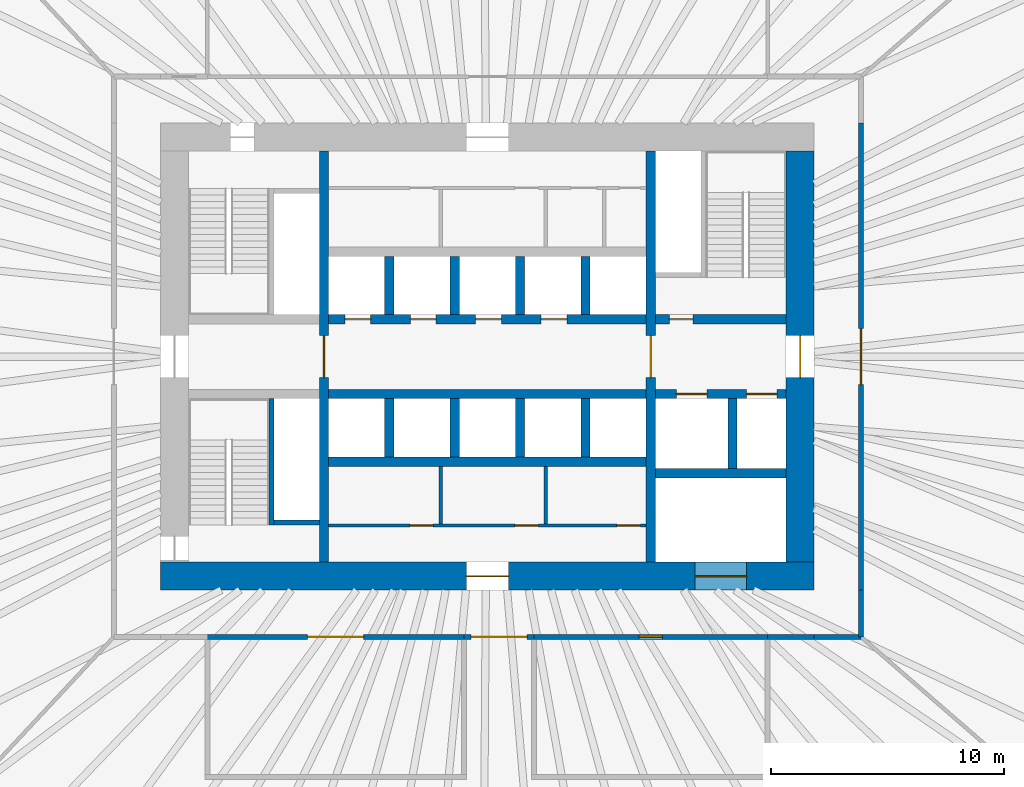
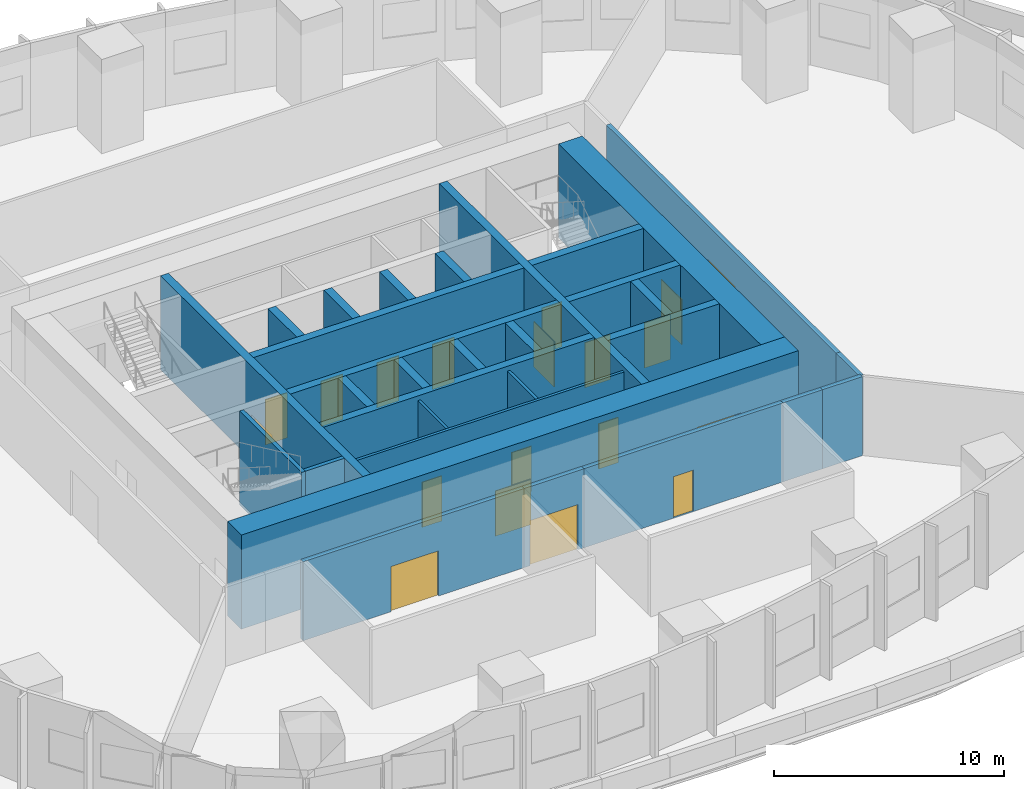
# One storey, part 7 of 11: 31 walls, 19 doors, 19 openings.
"""IFC4 building model written with IfcOpenShell, lengths in metres."""

import ifcopenshell
import ifcopenshell.guid

model = None  # the IFC model being written
_history = None  # IfcOwnerHistory: only IFC2X3 demands one
_inside = {}  # id of a spatial element -> (the spatial element, [elements in it])
_under = {}  # id of a project, library or spatial element -> (it, [spatial elements below it])
_declared = {}  # id of a project -> (the project, [libraries it declares])
_typed = {}  # id of a type object -> (the type object, [elements of that type])
_made_of = {}  # id of a material, layer set ... -> (it, [elements and type objects made of it])


def new_model(schema):
    """Start an empty IFC model of exactly this schema.

    Asked for "IFC4X3", IfcOpenShell would pick the latest addendum, in which some entities
    have other attributes; the version numbers below select the first issue.
    IFC2X3 requires an IfcOwnerHistory on every rooted entity: one is made here for all.
    """
    global model, _history
    if schema == "IFC4X3":
        model = ifcopenshell.file(schema_version=(4, 3, 0, 0))
    else:
        model = ifcopenshell.file(schema=schema)
    _inside.clear()
    _under.clear()
    _declared.clear()
    _typed.clear()
    _made_of.clear()
    _history = None
    if model.schema == "IFC2X3":
        org = make("IfcOrganization", Name="unknown")
        user = make(
            "IfcPersonAndOrganization",
            ThePerson=make("IfcPerson", FamilyName="unknown"),
            TheOrganization=org,
        )
        app = make(
            "IfcApplication",
            ApplicationDeveloper=org,
            Version="unknown",
            ApplicationFullName="unknown",
            ApplicationIdentifier="unknown",
        )
        _history = make(
            "IfcOwnerHistory",
            OwningUser=user,
            OwningApplication=app,
            ChangeAction="ADDED",
            CreationDate=0,
        )
    return model


def make(cls, **values):
    """One entity of the class cls with the attributes given. An attribute that is None is left unset."""
    return model.create_entity(
        cls, **{name: value for name, value in values.items() if value is not None}
    )


def rooted(cls, **values):
    """An entity with a GlobalId (a new one), such as an element, a storey or a relation."""
    return make(cls, GlobalId=ifcopenshell.guid.new(), OwnerHistory=_history, **values)


def si_unit(unit_type, name, prefix=None):
    """IfcSIUnit, for example si_unit("LENGTHUNIT", "METRE", prefix="MILLI")."""
    return make("IfcSIUnit", UnitType=unit_type, Prefix=prefix, Name=name)


def assignment(units):
    """IfcUnitAssignment: the units of a project."""
    return None if units is None else make("IfcUnitAssignment", Units=units)


def point(xyz):
    """IfcCartesianPoint."""
    return None if xyz is None else make("IfcCartesianPoint", Coordinates=xyz)


def direction(xyz):
    """IfcDirection."""
    return None if xyz is None else make("IfcDirection", DirectionRatios=xyz)


def frame(location, z_axis=None, x_axis=None):
    """IfcAxis2Placement3D, a coordinate frame: its origin and axes. An axis left out is left unset."""
    return make(
        "IfcAxis2Placement3D",
        Location=point(location),
        Axis=direction(z_axis),
        RefDirection=direction(x_axis),
    )


def frame_2d(location, x_axis=None):
    """IfcAxis2Placement2D, a coordinate frame in the plane: its origin and x axis."""
    return make(
        "IfcAxis2Placement2D", Location=point(location), RefDirection=direction(x_axis)
    )


def origin():
    """The frame at (0, 0, 0) with its axes left unset."""
    return frame((0.0, 0.0, 0.0))


def place(relative_to, where):
    """IfcLocalPlacement: puts the frame where relative to a parent placement (None: the world)."""
    return make(
        "IfcLocalPlacement", PlacementRelTo=relative_to, RelativePlacement=where
    )


def context(
    kind, dimensions, precision=None, world=None, true_north=None, identifier=None
):
    """IfcGeometricRepresentationContext, for example the 3D "Model" context."""
    return make(
        "IfcGeometricRepresentationContext",
        ContextIdentifier=identifier,
        ContextType=kind,
        CoordinateSpaceDimension=dimensions,
        Precision=precision,
        WorldCoordinateSystem=world,
        TrueNorth=true_north,
    )


def subcontext(parent, identifier, kind, view, scale=None):
    """IfcGeometricRepresentationSubContext, for example "Body" below "Model"."""
    return make(
        "IfcGeometricRepresentationSubContext",
        ContextIdentifier=identifier,
        ContextType=kind,
        ParentContext=parent,
        TargetScale=scale,
        TargetView=view,
    )


def project(units=None, contexts=None):
    """IfcProject with its units and contexts."""
    return rooted(
        "IfcProject",
        Name="project",
        RepresentationContexts=contexts,
        UnitsInContext=assignment(units),
    )


def spatial(cls, under=None, at=None, **own):
    """A site, building, storey or space (cls), placed at a placement, below another one or the project."""
    s = rooted(cls, ObjectPlacement=at, **own)
    if under is not None:
        _under.setdefault(under.id(), (under, []))[1].append(s)
    return s


def profile(cls, at=None, kind="AREA", **sizes):
    """A parametric profile (cls). Its sizes go by their IFC names, for example OverallWidth=200.0."""
    return make(cls, ProfileType=kind, Position=at, **sizes)


def rectangle(**sizes):
    """IfcRectangleProfileDef."""
    return profile("IfcRectangleProfileDef", **sizes)


def extrude(swept, where, along, depth):
    """IfcExtrudedAreaSolid: the profile swept, set in the frame where, extruded along a direction by depth."""
    return make(
        "IfcExtrudedAreaSolid",
        SweptArea=swept,
        Position=where,
        ExtrudedDirection=direction(along),
        Depth=depth,
    )


def shape(context_of_items, identifier, shape_type, items):
    """IfcShapeRepresentation: the items that make up one representation, for example the "Body"."""
    return make(
        "IfcShapeRepresentation",
        ContextOfItems=context_of_items,
        RepresentationIdentifier=identifier,
        RepresentationType=shape_type,
        Items=items,
    )


def material(Name=None, Category=None):
    """IfcMaterial."""
    return make("IfcMaterial", Name=Name, Category=Category)


def layer(
    of_material, thickness, ventilated=None, Name=None, Category=None, Priority=None
):
    """IfcMaterialLayer: one layer of a wall or slab, of a material (None: an air gap)."""
    return make(
        "IfcMaterialLayer",
        Material=of_material,
        LayerThickness=thickness,
        IsVentilated=ventilated,
        Name=Name,
        Category=Category,
        Priority=Priority,
    )


def layer_set(layers, Name=None):
    """IfcMaterialLayerSet."""
    return make("IfcMaterialLayerSet", MaterialLayers=layers, LayerSetName=Name)


def made_of(thing, what):
    """Note that an element or type object is made of a material, layer set ...; save() writes the relation."""
    if what is not None:
        _made_of.setdefault(what.id(), (what, []))[1].append(thing)
    return thing


def type_object(cls, material=None, **own):
    """A type object (cls), such as IfcWallType, which elements share."""
    return made_of(rooted(cls, **own), material)


def element(
    cls,
    number,
    at=None,
    inside=None,
    cuts=None,
    type_object=None,
    material=None,
    context=None,
    identifier="Body",
    shape_type=None,
    held_by="IfcProductDefinitionShape",
    body=None,
    shapes=None,
    **own,
):
    """One element of the class cls, such as IfcWall. Its Tag is "e" and its number.

    at: its placement. inside: the storey or other place that contains it. cuts: it is an
    opening in that element (IfcRelVoidsElement). A single representation is given by context,
    identifier, shape_type and body (its items); several are given by shapes. held_by: the class
    of the entity that holds the representations. save() writes the other relations.
    """
    e = rooted(cls, Tag="e%d" % number, ObjectPlacement=at, **own)
    if body is not None:
        shapes = [shape(context, identifier, shape_type, body)]
    if shapes is not None:
        e.Representation = make(held_by, Representations=shapes)
    if inside is not None:
        _inside.setdefault(inside.id(), (inside, []))[1].append(e)
    if cuts is not None:
        rooted(
            "IfcRelVoidsElement", RelatingBuildingElement=cuts, RelatedOpeningElement=e
        )
    if type_object is not None:
        _typed.setdefault(type_object.id(), (type_object, []))[1].append(e)
    return made_of(e, material)


def fill(opening, filler):
    """IfcRelFillsElement: the door or window that sits in an opening."""
    return rooted(
        "IfcRelFillsElement",
        RelatingOpeningElement=opening,
        RelatedBuildingElement=filler,
    )


def aggregate(whole, parts):
    """IfcRelAggregates: a whole, such as a stair, and the parts it consists of."""
    return rooted("IfcRelAggregates", RelatingObject=whole, RelatedObjects=parts)


def save(model, path):
    """Write the relations noted so far, then the file.

    IfcRelAggregates (storeys below a building ...), IfcRelContainedInSpatialStructure (elements
    in a storey), IfcRelDefinesByType, IfcRelAssociatesMaterial and IfcRelDeclares: one each for
    every whole, place, type object, material and project.
    """
    for whole, parts in _under.values():
        aggregate(whole, parts)
    for where, things in _inside.values():
        rooted(
            "IfcRelContainedInSpatialStructure",
            RelatedElements=things,
            RelatingStructure=where,
        )
    for kind, things in _typed.values():
        rooted("IfcRelDefinesByType", RelatedObjects=things, RelatingType=kind)
    for what, things in _made_of.values():
        rooted("IfcRelAssociatesMaterial", RelatedObjects=things, RelatingMaterial=what)
    for by, libraries in _declared.values():
        rooted("IfcRelDeclares", RelatingContext=by, RelatedDefinitions=libraries)
    model.write(path)


model = new_model("IFC4")

# Units and contexts
model_context = context("Model", 3, precision=1e-05, world=origin(), true_north=direction((0.0, 1.0)))
body_context = subcontext(model_context, "Body", "Model", "MODEL_VIEW")
ifc_project = project(units=[si_unit("LENGTHUNIT", "METRE"), si_unit("AREAUNIT", "SQUARE_METRE"), si_unit("VOLUMEUNIT", "CUBIC_METRE"), si_unit("PLANEANGLEUNIT", "RADIAN"), si_unit("MASSUNIT", "GRAM", prefix="KILO")], contexts=[model_context])

# Site, building, storey
site_placement = place(None, origin())
site = spatial("IfcSite", under=ifc_project, at=site_placement, CompositionType="ELEMENT")
building_placement = place(site_placement, origin())
building = spatial("IfcBuilding", under=site, at=building_placement, Name="Ghaith Harvest Tower", CompositionType="ELEMENT")
storey_placement = place(building_placement, frame((0.0, 0.0, 15.0)))
storey = spatial("IfcBuildingStorey", under=building, at=storey_placement, Name="L03", CompositionType="ELEMENT", Elevation=15.0)

# Wall
ifc_material_1 = material(Name="Concrete blockwork, 1-hour", Category="masonry")
ifc_layer_1 = layer(ifc_material_1, 0.215087890625)
ifc_layer_set_1 = layer_set([ifc_layer_1], Name="BLOCKWORK WALL 215")
wall_type_1 = type_object("IfcWallType", Name="BLOCKWORK WALL 215", PredefinedType="PARTITIONING", material=ifc_layer_set_1)
wall_1_placement = place(storey_placement, frame((16.0, -12.0, 0.0), z_axis=(0.0, 0.0, 1.0), x_axis=(0.0, 1.0, 0.0)))
element("IfcWall", 1, at=wall_1_placement, inside=storey, type_object=wall_type_1, Name="Plant room wall L03", PredefinedType="PARTITIONING", context=body_context, shape_type="SweptSolid", body=[
    extrude(rectangle(XDim=2.0, YDim=0.215087890625, at=frame_2d((1.0, 0.0))), origin(), (0.0, 0.0, 1.0), 4.199951171875),
])

# Wall, opening, door
wall_2_placement = place(storey_placement, frame((16.0, -10.0, 0.0), z_axis=(0.0, 0.0, 1.0), x_axis=(0.0, 1.0, 0.0)))
wall_2 = element("IfcWall", 2, at=wall_2_placement, inside=storey, type_object=wall_type_1, Name="Plant room wall L03", PredefinedType="PARTITIONING", context=body_context, shape_type="SweptSolid", body=[
    extrude(rectangle(XDim=20.0, YDim=0.215087890625, at=frame_2d((10.0, 0.0))), origin(), (0.0, 0.0, 1.0), 4.199951171875),
])
opening_1_placement = place(wall_2_placement, frame((8.800048828125, 0.0, 0.0)))
opening_1 = element("IfcOpeningElement", 3, at=opening_1_placement, cuts=wall_2, Name="Opening 03-028", PredefinedType="OPENING", context=body_context, shape_type="SweptSolid", body=[
    extrude(rectangle(XDim=2.39990234375, YDim=2.39990234375, at=frame_2d((1.199951171875, 1.199951171875))), frame((0.0, 0.11767578125, 0.0), z_axis=(0.0, -1.0, 0.0), x_axis=(1.0, 0.0, 0.0)), (0.0, 0.0, 1.0), 0.235107421875),
])
ifc_material_2 = material(Name="Timber door", Category="wood")
door_type_1 = type_object("IfcDoorType", Name="D10 PLANT PAIR 2400x2400", OperationType="DOUBLE_DOOR_SINGLE_SWING", PredefinedType="DOOR", material=ifc_material_2)
door_1_placement = place(opening_1_placement, origin())
door_1 = element("IfcDoor", 4, at=door_1_placement, inside=storey, type_object=door_type_1, Name="Chilled water plant room east door", OperationType="DOUBLE_DOOR_SINGLE_SWING", OverallHeight=2.39990234375, OverallWidth=2.39990234375, PredefinedType="DOOR", context=body_context, shape_type="SweptSolid", body=[
    extrude(rectangle(XDim=2.39990234375, YDim=2.39990234375, at=frame_2d((1.199951171875, 1.199951171875))), frame((0.0, 0.02490234375, 0.0), z_axis=(0.0, -1.0, 0.0), x_axis=(1.0, 0.0, 0.0)), (0.0, 0.0, 1.0), 0.050048828125),
])
fill(opening_1, door_1)

wall_3_placement = place(storey_placement, frame((-1.0, -12.0, 0.0), z_axis=(0.0, 0.0, 1.0), x_axis=(1.0, 0.0, 0.0)))
wall_3 = element("IfcWall", 5, at=wall_3_placement, inside=storey, type_object=wall_type_1, Name="Plant room wall L03", PredefinedType="PARTITIONING", context=body_context, shape_type="SweptSolid", body=[
    extrude(rectangle(XDim=3.0, YDim=0.215087890625, at=frame_2d((1.5, 0.0))), origin(), (0.0, 0.0, 1.0), 4.199951171875),
])
opening_2_placement = place(wall_3_placement, frame((0.300048828125, 0.0, 0.0)))
opening_2 = element("IfcOpeningElement", 6, at=opening_2_placement, cuts=wall_3, Name="Opening 03-029", PredefinedType="OPENING", context=body_context, shape_type="SweptSolid", body=[
    extrude(rectangle(XDim=2.39990234375, YDim=2.39990234375, at=frame_2d((1.199951171875, 1.199951171875))), frame((0.0, 0.11767578125, 0.0), z_axis=(0.0, -1.0, 0.0), x_axis=(1.0, 0.0, 0.0)), (0.0, 0.0, 1.0), 0.235107421875),
])
door_2_placement = place(opening_2_placement, origin())
door_2 = element("IfcDoor", 7, at=door_2_placement, inside=storey, type_object=door_type_1, Name="Pump room south door", OperationType="DOUBLE_DOOR_SINGLE_SWING", OverallHeight=2.39990234375, OverallWidth=2.39990234375, PredefinedType="DOOR", context=body_context, shape_type="SweptSolid", body=[
    extrude(rectangle(XDim=2.39990234375, YDim=2.39990234375, at=frame_2d((1.199951171875, 1.199951171875))), frame((0.0, 0.02490234375, 0.0), z_axis=(0.0, -1.0, 0.0), x_axis=(1.0, 0.0, 0.0)), (0.0, 0.0, 1.0), 0.050048828125),
])
fill(opening_2, door_2)

# Walls
for number, where, z_axis, x_axis, name in (
    (8, (12.0, -12.0, 0.0), (0.0, 0.0, 1.0), (1.0, 0.0, 0.0), "Plant room wall L03"),
    (9, (14.0, -12.0, 0.0), (0.0, 0.0, 1.0), (1.0, 0.0, 0.0), "Plant room wall L03"),
):
    element("IfcWall", number, at=place(storey_placement, frame(where, z_axis=z_axis, x_axis=x_axis)), inside=storey, type_object=wall_type_1, Name=name, PredefinedType="PARTITIONING", context=body_context, shape_type="SweptSolid", body=[
        extrude(rectangle(XDim=2.0, YDim=0.215087890625, at=frame_2d((1.0, 0.0))), origin(), (0.0, 0.0, 1.0), 4.199951171875),
    ])

# Wall, opening, door
wall_4_placement = place(storey_placement, frame((-12.107421875, -12.0, 0.0), z_axis=(0.0, 0.0, 1.0), x_axis=(1.0, 0.0, 0.0)))
wall_4 = element("IfcWall", 10, at=wall_4_placement, inside=storey, type_object=wall_type_1, Name="Partition L03-02", PredefinedType="PARTITIONING", context=body_context, shape_type="SweptSolid", body=[
    extrude(rectangle(XDim=11.21484375, YDim=0.215087890625, at=frame_2d((5.607421875, 0.0))), origin(), (0.0, 0.0, 1.0), 4.199951171875),
])
opening_3_placement = place(wall_4_placement, frame((4.407470703125, 0.0, 0.0)))
opening_3 = element("IfcOpeningElement", 11, at=opening_3_placement, cuts=wall_4, Name="Opening 03-025", PredefinedType="OPENING", context=body_context, shape_type="SweptSolid", body=[
    extrude(rectangle(XDim=2.39990234375, YDim=2.39990234375, at=frame_2d((1.199951171875, 1.199951171875))), frame((0.0, 0.11767578125, 0.0), z_axis=(0.0, -1.0, 0.0), x_axis=(1.0, 0.0, 0.0)), (0.0, 0.0, 1.0), 0.235107421875),
])
door_3_placement = place(opening_3_placement, origin())
door_3 = element("IfcDoor", 12, at=door_3_placement, inside=storey, type_object=door_type_1, Name="Water tank room door", OperationType="DOUBLE_DOOR_SINGLE_SWING", OverallHeight=2.39990234375, OverallWidth=2.39990234375, PredefinedType="DOOR", context=body_context, shape_type="SweptSolid", body=[
    extrude(rectangle(XDim=2.39990234375, YDim=2.39990234375, at=frame_2d((1.199951171875, 1.199951171875))), frame((0.0, 0.02490234375, 0.0), z_axis=(0.0, -1.0, 0.0), x_axis=(1.0, 0.0, 0.0)), (0.0, 0.0, 1.0), 0.050048828125),
])
fill(opening_3, door_3)

wall_5_placement = place(storey_placement, frame((1.892578125, -12.0, 0.0), z_axis=(0.0, 0.0, 1.0), x_axis=(1.0, 0.0, 0.0)))
wall_5 = element("IfcWall", 13, at=wall_5_placement, inside=storey, type_object=wall_type_1, Name="Partition L03-03", PredefinedType="PARTITIONING", context=body_context, shape_type="SweptSolid", body=[
    extrude(rectangle(XDim=10.21484375, YDim=0.215087890625, at=frame_2d((5.107421875, 0.0))), origin(), (0.0, 0.0, 1.0), 4.199951171875),
])
opening_4_placement = place(wall_5_placement, frame((4.607421875, 0.0, 0.0)))
opening_4 = element("IfcOpeningElement", 14, at=opening_4_placement, cuts=wall_5, Name="Opening 03-026", PredefinedType="OPENING", context=body_context, shape_type="SweptSolid", body=[
    extrude(rectangle(XDim=1.0, YDim=2.199951171875, at=frame_2d((0.5, 1.10009765625))), frame((0.0, 0.11767578125, 0.0), z_axis=(0.0, -1.0, 0.0), x_axis=(1.0, 0.0, 0.0)), (0.0, 0.0, 1.0), 0.235107421875),
])
ifc_material_3 = material(Name="Timber door", Category="wood")
door_type_2 = type_object("IfcDoorType", Name="D1 SINGLE 1000x2200", OperationType="SINGLE_SWING_LEFT", PredefinedType="DOOR", material=ifc_material_3)
door_4_placement = place(opening_4_placement, origin())
door_4 = element("IfcDoor", 15, at=door_4_placement, inside=storey, type_object=door_type_2, Name="Electrical switch room door", OperationType="SINGLE_SWING_LEFT", OverallHeight=2.199951171875, OverallWidth=1.0, PredefinedType="DOOR", context=body_context, shape_type="SweptSolid", body=[
    extrude(rectangle(XDim=1.0, YDim=2.199951171875, at=frame_2d((0.5, 1.10009765625))), frame((0.0, 0.02490234375, 0.0), z_axis=(0.0, -1.0, 0.0), x_axis=(1.0, 0.0, 0.0)), (0.0, 0.0, 1.0), 0.050048828125),
])
fill(opening_4, door_4)

# Wall, openings, doors
ifc_material_4 = material(Name="Concrete blockwork, fair-faced", Category="masonry")
ifc_layer_2 = layer(ifc_material_4, 0.139892578125)
ifc_layer_set_2 = layer_set([ifc_layer_2], Name="CORE PARTITION 140")
wall_type_2 = type_object("IfcWallType", Name="CORE PARTITION 140", PredefinedType="PARTITIONING", material=ifc_layer_set_2)
wall_6_placement = place(storey_placement, frame((-6.800048828125, -7.22998046875, 0.0), z_axis=(0.0, 0.0, 1.0), x_axis=(1.0, 0.0, 0.0)))
wall_6 = element("IfcWall", 16, at=wall_6_placement, inside=storey, type_object=wall_type_2, Name="Core partition L03", PredefinedType="PARTITIONING", context=body_context, shape_type="SweptSolid", body=[
    extrude(rectangle(XDim=13.60009765625, YDim=0.139892578125, at=frame_2d((6.800048828125, 0.0))), origin(), (0.0, 0.0, 1.0), 4.75),
])
opening_5_placement = place(wall_6_placement, frame((3.47998046875, 0.0, 0.0)))
opening_5 = element("IfcOpeningElement", 17, at=opening_5_placement, cuts=wall_6, Name="Opening 03-012", PredefinedType="OPENING", context=body_context, shape_type="SweptSolid", body=[
    extrude(rectangle(XDim=1.0, YDim=2.39990234375, at=frame_2d((0.5, 1.199951171875))), frame((0.0, 0.080078125, 0.0), z_axis=(0.0, -1.0, 0.0), x_axis=(1.0, 0.0, 0.0)), (0.0, 0.0, 1.0), 0.159912109375),
])
opening_6_placement = place(wall_6_placement, frame((7.97998046875, 0.0, 0.0)))
opening_6 = element("IfcOpeningElement", 18, at=opening_6_placement, cuts=wall_6, Name="Opening 03-013", PredefinedType="OPENING", context=body_context, shape_type="SweptSolid", body=[
    extrude(rectangle(XDim=1.0, YDim=2.39990234375, at=frame_2d((0.5, 1.199951171875))), frame((0.0, 0.080078125, 0.0), z_axis=(0.0, -1.0, 0.0), x_axis=(1.0, 0.0, 0.0)), (0.0, 0.0, 1.0), 0.159912109375),
])
opening_7_placement = place(wall_6_placement, frame((12.35009765625, 0.0, 0.0)))
opening_7 = element("IfcOpeningElement", 19, at=opening_7_placement, cuts=wall_6, Name="Opening 03-014", PredefinedType="OPENING", context=body_context, shape_type="SweptSolid", body=[
    extrude(rectangle(XDim=1.0, YDim=2.39990234375, at=frame_2d((0.5, 1.199951171875))), frame((0.0, 0.080078125, 0.0), z_axis=(0.0, -1.0, 0.0), x_axis=(1.0, 0.0, 0.0)), (0.0, 0.0, 1.0), 0.159912109375),
])
ifc_material_5 = material(Name="Steel fire door", Category="steel")
door_type_3 = type_object("IfcDoorType", Name="D3 FD90 1000x2400", OperationType="SINGLE_SWING_LEFT", PredefinedType="DOOR", material=ifc_material_5)
door_5_placement = place(opening_5_placement, origin())
door_5 = element("IfcDoor", 20, at=door_5_placement, inside=storey, type_object=door_type_3, Name="Electrical room door", OperationType="SINGLE_SWING_LEFT", OverallHeight=2.39990234375, OverallWidth=1.0, PredefinedType="DOOR", context=body_context, shape_type="SweptSolid", body=[
    extrude(rectangle(XDim=1.0, YDim=2.39990234375, at=frame_2d((0.5, 1.199951171875))), frame((0.0, 0.02490234375, 0.0), z_axis=(0.0, -1.0, 0.0), x_axis=(1.0, 0.0, 0.0)), (0.0, 0.0, 1.0), 0.050048828125),
])
fill(opening_5, door_5)
door_6_placement = place(opening_6_placement, origin())
door_6 = element("IfcDoor", 21, at=door_6_placement, inside=storey, type_object=door_type_3, Name="Communications equipment room door", OperationType="SINGLE_SWING_RIGHT", OverallHeight=2.39990234375, OverallWidth=1.0, PredefinedType="DOOR", context=body_context, shape_type="SweptSolid", body=[
    extrude(rectangle(XDim=1.0, YDim=2.39990234375, at=frame_2d((0.5, 1.199951171875))), frame((0.0, 0.02490234375, 0.0), z_axis=(0.0, -1.0, 0.0), x_axis=(1.0, 0.0, 0.0)), (0.0, 0.0, 1.0), 0.050048828125),
])
fill(opening_6, door_6)
door_7_placement = place(opening_7_placement, origin())
door_7 = element("IfcDoor", 22, at=door_7_placement, inside=storey, type_object=door_type_3, Name="Riser room door", OperationType="SINGLE_SWING_RIGHT", OverallHeight=2.39990234375, OverallWidth=1.0, PredefinedType="DOOR", context=body_context, shape_type="SweptSolid", body=[
    extrude(rectangle(XDim=1.0, YDim=2.39990234375, at=frame_2d((0.5, 1.199951171875))), frame((0.0, 0.02490234375, 0.0), z_axis=(0.0, -1.0, 0.0), x_axis=(1.0, 0.0, 0.0)), (0.0, 0.0, 1.0), 0.050048828125),
])
fill(opening_7, door_7)

# Walls
for number, where, z_axis, x_axis, name in (
    (23, (-2.0, -4.699951171875, 0.0), (0.0, 0.0, 1.0), (0.0, -1.0, 0.0), "Core partition L03"),
    (24, (2.5, -4.699951171875, 0.0), (0.0, 0.0, 1.0), (0.0, -1.0, 0.0), "Core partition L03"),
):
    element("IfcWall", number, at=place(storey_placement, frame(where, z_axis=z_axis, x_axis=x_axis)), inside=storey, type_object=wall_type_2, Name=name, PredefinedType="PARTITIONING", context=body_context, shape_type="SweptSolid", body=[
        extrude(rectangle(XDim=2.4599609375, YDim=0.139892578125, at=frame_2d((1.22998046875, 0.0))), origin(), (0.0, 0.0, 1.0), 4.75),
    ])

# Wall, openings, doors
ifc_material_6 = material(Name="Concrete C70/85", Category="concrete")
ifc_layer_3 = layer(ifc_material_6, 1.199951171875)
ifc_layer_set_3 = layer_set([ifc_layer_3], Name="CORE WALL CW1200")
wall_type_3 = type_object("IfcWallType", Name="CORE WALL CW1200", PredefinedType="SHEAR", material=ifc_layer_set_3)
wall_7_placement = place(storey_placement, frame((-14.0, -9.39990234375, 0.0), z_axis=(0.0, 0.0, 1.0), x_axis=(1.0, 0.0, 0.0)))
wall_7 = element("IfcWall", 25, at=wall_7_placement, inside=storey, type_object=wall_type_3, Name="Core wall S L03", PredefinedType="SHEAR", context=body_context, shape_type="SweptSolid", body=[
    extrude(rectangle(XDim=28.0, YDim=1.199951171875, at=frame_2d((14.0, 0.0))), origin(), (0.0, 0.0, 1.0), 5.0),
])
opening_8_placement = place(wall_7_placement, frame((13.10009765625, 0.0, 0.0)))
opening_8 = element("IfcOpeningElement", 26, at=opening_8_placement, cuts=wall_7, Name="Opening 03-016", PredefinedType="OPENING", context=body_context, shape_type="SweptSolid", body=[
    extrude(rectangle(XDim=1.800048828125, YDim=2.39990234375, at=frame_2d((0.89990234375, 1.199951171875))), frame((0.0, 0.60986328125, 0.0), z_axis=(0.0, -1.0, 0.0), x_axis=(1.0, 0.0, 0.0)), (0.0, 0.0, 1.0), 1.219970703125),
])
opening_9_placement = place(wall_7_placement, frame((22.89990234375, 0.0, 0.0)))
opening_9 = element("IfcOpeningElement", 27, at=opening_9_placement, cuts=wall_7, Name="Opening 03-023", PredefinedType="OPENING", context=body_context, shape_type="SweptSolid", body=[
    extrude(rectangle(XDim=2.199951171875, YDim=2.699951171875, at=frame_2d((1.10009765625, 1.35009765625))), frame((0.0, 0.60986328125, 0.0), z_axis=(0.0, -1.0, 0.0), x_axis=(1.0, 0.0, 0.0)), (0.0, 0.0, 1.0), 1.219970703125),
])
ifc_material_7 = material(Name="Steel fire door", Category="steel")
door_type_4 = type_object("IfcDoorType", Name="D4 FD90 PAIR 1800x2400", OperationType="DOUBLE_DOOR_SINGLE_SWING", PredefinedType="DOOR", material=ifc_material_7)
door_8_placement = place(opening_8_placement, origin())
door_8 = element("IfcDoor", 28, at=door_8_placement, inside=storey, type_object=door_type_4, Name="Core service corridor doors", OperationType="DOUBLE_DOOR_SINGLE_SWING", OverallHeight=2.39990234375, OverallWidth=1.800048828125, PredefinedType="DOOR", context=body_context, shape_type="SweptSolid", body=[
    extrude(rectangle(XDim=1.800048828125, YDim=2.39990234375, at=frame_2d((0.89990234375, 1.199951171875))), frame((0.0, 0.02490234375, 0.0), z_axis=(0.0, -1.0, 0.0), x_axis=(1.0, 0.0, 0.0)), (0.0, 0.0, 1.0), 0.050048828125),
])
fill(opening_8, door_8)
ifc_material_8 = material(Name="Steel fire door", Category="steel")
door_type_5 = type_object("IfcDoorType", Name="LD3 LANDING 2200x2700", OperationType="DOUBLE_DOOR_SLIDING", PredefinedType="DOOR", material=ifc_material_8)
door_9_placement = place(opening_9_placement, origin())
door_9 = element("IfcDoor", 29, at=door_9_placement, inside=storey, type_object=door_type_5, Name="Landing door, goods lift GL1", OperationType="DOUBLE_DOOR_SLIDING", OverallHeight=2.699951171875, OverallWidth=2.199951171875, PredefinedType="DOOR", context=body_context, shape_type="SweptSolid", body=[
    extrude(rectangle(XDim=2.199951171875, YDim=2.699951171875, at=frame_2d((1.10009765625, 1.35009765625))), frame((0.0, 0.02490234375, 0.0), z_axis=(0.0, -1.0, 0.0), x_axis=(1.0, 0.0, 0.0)), (0.0, 0.0, 1.0), 0.050048828125),
])
fill(opening_9, door_9)

# Wall, opening, door
wall_8_placement = place(storey_placement, frame((13.39990234375, -8.800048828125, 0.0), z_axis=(0.0, 0.0, 1.0), x_axis=(0.0, 1.0, 0.0)))
wall_8 = element("IfcWall", 30, at=wall_8_placement, inside=storey, type_object=wall_type_3, Name="Core wall E L03", PredefinedType="SHEAR", context=body_context, shape_type="SweptSolid", body=[
    extrude(rectangle(XDim=17.60009765625, YDim=1.199951171875, at=frame_2d((8.800048828125, 0.0))), origin(), (0.0, 0.0, 1.0), 5.0),
])
opening_10_placement = place(wall_8_placement, frame((7.89990234375, 0.0, 0.0)))
opening_10 = element("IfcOpeningElement", 31, at=opening_10_placement, cuts=wall_8, Name="Opening 03-002", PredefinedType="OPENING", context=body_context, shape_type="SweptSolid", body=[
    extrude(rectangle(XDim=1.800048828125, YDim=2.39990234375, at=frame_2d((0.89990234375, 1.199951171875))), frame((0.0, 0.60986328125, 0.0), z_axis=(0.0, -1.0, 0.0), x_axis=(1.0, 0.0, 0.0)), (0.0, 0.0, 1.0), 1.219970703125),
])
door_10_placement = place(opening_10_placement, origin())
door_10 = element("IfcDoor", 32, at=door_10_placement, inside=storey, type_object=door_type_4, Name="Fire-fighting lobby doors", OperationType="DOUBLE_DOOR_SINGLE_SWING", OverallHeight=2.39990234375, OverallWidth=1.800048828125, PredefinedType="DOOR", context=body_context, shape_type="SweptSolid", body=[
    extrude(rectangle(XDim=1.800048828125, YDim=2.39990234375, at=frame_2d((0.89990234375, 1.199951171875))), frame((0.0, 0.02490234375, 0.0), z_axis=(0.0, -1.0, 0.0), x_axis=(1.0, 0.0, 0.0)), (0.0, 0.0, 1.0), 0.050048828125),
])
fill(opening_10, door_10)

ifc_material_9 = material(Name="Concrete C70/85", Category="concrete")
ifc_layer_4 = layer(ifc_material_9, 0.39990234375)
ifc_layer_set_4 = layer_set([ifc_layer_4], Name="SHAFT WALL 400")
wall_type_4 = type_object("IfcWallType", Name="SHAFT WALL 400", PredefinedType="SHEAR", material=ifc_layer_set_4)
wall_9_placement = place(storey_placement, frame((-7.0, -8.800048828125, 0.0), z_axis=(0.0, 0.0, 1.0), x_axis=(0.0, 1.0, 0.0)))
wall_9 = element("IfcWall", 33, at=wall_9_placement, inside=storey, type_object=wall_type_4, Name="Shaft wall W7W L03", PredefinedType="SHEAR", context=body_context, shape_type="SweptSolid", body=[
    extrude(rectangle(XDim=17.60009765625, YDim=0.39990234375, at=frame_2d((8.800048828125, 0.0))), origin(), (0.0, 0.0, 1.0), 5.0),
])
opening_11_placement = place(wall_9_placement, frame((7.89990234375, 0.0, 0.0)))
opening_11 = element("IfcOpeningElement", 34, at=opening_11_placement, cuts=wall_9, Name="Opening 03-003", PredefinedType="OPENING", context=body_context, shape_type="SweptSolid", body=[
    extrude(rectangle(XDim=1.800048828125, YDim=2.39990234375, at=frame_2d((0.89990234375, 1.199951171875))), frame((0.0, 0.2099609375, 0.0), z_axis=(0.0, -1.0, 0.0), x_axis=(1.0, 0.0, 0.0)), (0.0, 0.0, 1.0), 0.419921875),
])
door_11_placement = place(opening_11_placement, origin())
door_11 = element("IfcDoor", 35, at=door_11_placement, inside=storey, type_object=door_type_4, Name="Lift lobby doors, west", OperationType="DOUBLE_DOOR_SINGLE_SWING", OverallHeight=2.39990234375, OverallWidth=1.800048828125, PredefinedType="DOOR", context=body_context, shape_type="SweptSolid", body=[
    extrude(rectangle(XDim=1.800048828125, YDim=2.39990234375, at=frame_2d((0.89990234375, 1.199951171875))), frame((0.0, 0.02490234375, 0.0), z_axis=(0.0, -1.0, 0.0), x_axis=(1.0, 0.0, 0.0)), (0.0, 0.0, 1.0), 0.050048828125),
])
fill(opening_11, door_11)

wall_10_placement = place(storey_placement, frame((7.0, -8.800048828125, 0.0), z_axis=(0.0, 0.0, 1.0), x_axis=(0.0, 1.0, 0.0)))
wall_10 = element("IfcWall", 36, at=wall_10_placement, inside=storey, type_object=wall_type_4, Name="Shaft wall W7E L03", PredefinedType="SHEAR", context=body_context, shape_type="SweptSolid", body=[
    extrude(rectangle(XDim=17.60009765625, YDim=0.39990234375, at=frame_2d((8.800048828125, 0.0))), origin(), (0.0, 0.0, 1.0), 5.0),
])
opening_12_placement = place(wall_10_placement, frame((7.89990234375, 0.0, 0.0)))
opening_12 = element("IfcOpeningElement", 37, at=opening_12_placement, cuts=wall_10, Name="Opening 03-004", PredefinedType="OPENING", context=body_context, shape_type="SweptSolid", body=[
    extrude(rectangle(XDim=1.800048828125, YDim=2.39990234375, at=frame_2d((0.89990234375, 1.199951171875))), frame((0.0, 0.2099609375, 0.0), z_axis=(0.0, -1.0, 0.0), x_axis=(1.0, 0.0, 0.0)), (0.0, 0.0, 1.0), 0.419921875),
])
door_12_placement = place(opening_12_placement, origin())
door_12 = element("IfcDoor", 38, at=door_12_placement, inside=storey, type_object=door_type_4, Name="Lift lobby doors, east", OperationType="DOUBLE_DOOR_SINGLE_SWING", OverallHeight=2.39990234375, OverallWidth=1.800048828125, PredefinedType="DOOR", context=body_context, shape_type="SweptSolid", body=[
    extrude(rectangle(XDim=1.800048828125, YDim=2.39990234375, at=frame_2d((0.89990234375, 1.199951171875))), frame((0.0, 0.02490234375, 0.0), z_axis=(0.0, -1.0, 0.0), x_axis=(1.0, 0.0, 0.0)), (0.0, 0.0, 1.0), 0.050048828125),
])
fill(opening_12, door_12)

# Wall, openings, doors
wall_11_placement = place(storey_placement, frame((-6.800048828125, 1.60009765625, 0.0), z_axis=(0.0, 0.0, 1.0), x_axis=(1.0, 0.0, 0.0)))
wall_11 = element("IfcWall", 39, at=wall_11_placement, inside=storey, type_object=wall_type_4, Name="Shaft wall LN L03", PredefinedType="SHEAR", context=body_context, shape_type="SweptSolid", body=[
    extrude(rectangle(XDim=13.60009765625, YDim=0.39990234375, at=frame_2d((6.800048828125, 0.0))), origin(), (0.0, 0.0, 1.0), 5.0),
])
opening_13_placement = place(wall_11_placement, frame((0.699951171875, 0.0, 0.0)))
opening_13 = element("IfcOpeningElement", 40, at=opening_13_placement, cuts=wall_11, Name="Opening 03-017", PredefinedType="OPENING", context=body_context, shape_type="SweptSolid", body=[
    extrude(rectangle(XDim=1.10009765625, YDim=2.39990234375, at=frame_2d((0.550048828125, 1.199951171875))), frame((0.0, 0.2099609375, 0.0), z_axis=(0.0, -1.0, 0.0), x_axis=(1.0, 0.0, 0.0)), (0.0, 0.0, 1.0), 0.419921875),
])
opening_14_placement = place(wall_11_placement, frame((3.5, 0.0, 0.0)))
opening_14 = element("IfcOpeningElement", 41, at=opening_14_placement, cuts=wall_11, Name="Opening 03-018", PredefinedType="OPENING", context=body_context, shape_type="SweptSolid", body=[
    extrude(rectangle(XDim=1.10009765625, YDim=2.39990234375, at=frame_2d((0.550048828125, 1.199951171875))), frame((0.0, 0.2099609375, 0.0), z_axis=(0.0, -1.0, 0.0), x_axis=(1.0, 0.0, 0.0)), (0.0, 0.0, 1.0), 0.419921875),
])
opening_15_placement = place(wall_11_placement, frame((6.300048828125, 0.0, 0.0)))
opening_15 = element("IfcOpeningElement", 42, at=opening_15_placement, cuts=wall_11, Name="Opening 03-019", PredefinedType="OPENING", context=body_context, shape_type="SweptSolid", body=[
    extrude(rectangle(XDim=1.10009765625, YDim=2.39990234375, at=frame_2d((0.550048828125, 1.199951171875))), frame((0.0, 0.2099609375, 0.0), z_axis=(0.0, -1.0, 0.0), x_axis=(1.0, 0.0, 0.0)), (0.0, 0.0, 1.0), 0.419921875),
])
opening_16_placement = place(wall_11_placement, frame((9.10009765625, 0.0, 0.0)))
opening_16 = element("IfcOpeningElement", 43, at=opening_16_placement, cuts=wall_11, Name="Opening 03-020", PredefinedType="OPENING", context=body_context, shape_type="SweptSolid", body=[
    extrude(rectangle(XDim=1.10009765625, YDim=2.39990234375, at=frame_2d((0.550048828125, 1.199951171875))), frame((0.0, 0.2099609375, 0.0), z_axis=(0.0, -1.0, 0.0), x_axis=(1.0, 0.0, 0.0)), (0.0, 0.0, 1.0), 0.419921875),
])
ifc_material_10 = material(Name="Steel fire door", Category="steel")
door_type_6 = type_object("IfcDoorType", Name="LD1 LANDING 1100x2400", OperationType="DOUBLE_DOOR_SLIDING", PredefinedType="DOOR", material=ifc_material_10)
door_13_placement = place(opening_13_placement, origin())
door_13 = element("IfcDoor", 44, at=door_13_placement, inside=storey, type_object=door_type_6, Name="Landing door, lift FA1", OperationType="DOUBLE_DOOR_SLIDING", OverallHeight=2.39990234375, OverallWidth=1.10009765625, PredefinedType="DOOR", context=body_context, shape_type="SweptSolid", body=[
    extrude(rectangle(XDim=1.10009765625, YDim=2.39990234375, at=frame_2d((0.550048828125, 1.199951171875))), frame((0.0, 0.02490234375, 0.0), z_axis=(0.0, -1.0, 0.0), x_axis=(1.0, 0.0, 0.0)), (0.0, 0.0, 1.0), 0.050048828125),
])
fill(opening_13, door_13)
door_14_placement = place(opening_14_placement, origin())
door_14 = element("IfcDoor", 45, at=door_14_placement, inside=storey, type_object=door_type_6, Name="Landing door, lift FA2", OperationType="DOUBLE_DOOR_SLIDING", OverallHeight=2.39990234375, OverallWidth=1.10009765625, PredefinedType="DOOR", context=body_context, shape_type="SweptSolid", body=[
    extrude(rectangle(XDim=1.10009765625, YDim=2.39990234375, at=frame_2d((0.550048828125, 1.199951171875))), frame((0.0, 0.02490234375, 0.0), z_axis=(0.0, -1.0, 0.0), x_axis=(1.0, 0.0, 0.0)), (0.0, 0.0, 1.0), 0.050048828125),
])
fill(opening_14, door_14)
door_15_placement = place(opening_15_placement, origin())
door_15 = element("IfcDoor", 46, at=door_15_placement, inside=storey, type_object=door_type_6, Name="Landing door, lift FA3", OperationType="DOUBLE_DOOR_SLIDING", OverallHeight=2.39990234375, OverallWidth=1.10009765625, PredefinedType="DOOR", context=body_context, shape_type="SweptSolid", body=[
    extrude(rectangle(XDim=1.10009765625, YDim=2.39990234375, at=frame_2d((0.550048828125, 1.199951171875))), frame((0.0, 0.02490234375, 0.0), z_axis=(0.0, -1.0, 0.0), x_axis=(1.0, 0.0, 0.0)), (0.0, 0.0, 1.0), 0.050048828125),
])
fill(opening_15, door_15)
door_16_placement = place(opening_16_placement, origin())
door_16 = element("IfcDoor", 47, at=door_16_placement, inside=storey, type_object=door_type_6, Name="Landing door, lift FA4", OperationType="DOUBLE_DOOR_SLIDING", OverallHeight=2.39990234375, OverallWidth=1.10009765625, PredefinedType="DOOR", context=body_context, shape_type="SweptSolid", body=[
    extrude(rectangle(XDim=1.10009765625, YDim=2.39990234375, at=frame_2d((0.550048828125, 1.199951171875))), frame((0.0, 0.02490234375, 0.0), z_axis=(0.0, -1.0, 0.0), x_axis=(1.0, 0.0, 0.0)), (0.0, 0.0, 1.0), 0.050048828125),
])
fill(opening_16, door_16)

# Walls
for number, where, z_axis, x_axis, name in (
    (48, (-6.800048828125, -1.60009765625, 0.0), (0.0, 0.0, 1.0), (1.0, 0.0, 0.0), "Shaft wall LS L03"),
    (49, (-6.800048828125, -4.5, 0.0), (0.0, 0.0, 1.0), (1.0, 0.0, 0.0), "Shaft wall BS L03"),
):
    element("IfcWall", number, at=place(storey_placement, frame(where, z_axis=z_axis, x_axis=x_axis)), inside=storey, type_object=wall_type_4, Name=name, PredefinedType="SHEAR", context=body_context, shape_type="SweptSolid", body=[
        extrude(rectangle(XDim=13.60009765625, YDim=0.39990234375, at=frame_2d((6.800048828125, 0.0))), origin(), (0.0, 0.0, 1.0), 5.0),
    ])

# Wall, opening, door
wall_12_placement = place(storey_placement, frame((7.199951171875, 1.60009765625, 0.0), z_axis=(0.0, 0.0, 1.0), x_axis=(1.0, 0.0, 0.0)))
wall_12 = element("IfcWall", 50, at=wall_12_placement, inside=storey, type_object=wall_type_4, Name="Shaft wall EN L03", PredefinedType="SHEAR", context=body_context, shape_type="SweptSolid", body=[
    extrude(rectangle(XDim=5.60009765625, YDim=0.39990234375, at=frame_2d((2.800048828125, 0.0))), origin(), (0.0, 0.0, 1.0), 5.0),
])
opening_17_placement = place(wall_12_placement, frame((0.60009765625, 0.0, 0.0)))
opening_17 = element("IfcOpeningElement", 51, at=opening_17_placement, cuts=wall_12, Name="Opening 03-007", PredefinedType="OPENING", context=body_context, shape_type="SweptSolid", body=[
    extrude(rectangle(XDim=1.0, YDim=2.39990234375, at=frame_2d((0.5, 1.199951171875))), frame((0.0, 0.2099609375, 0.0), z_axis=(0.0, -1.0, 0.0), x_axis=(1.0, 0.0, 0.0)), (0.0, 0.0, 1.0), 0.419921875),
])
door_17_placement = place(opening_17_placement, origin())
door_17 = element("IfcDoor", 52, at=door_17_placement, inside=storey, type_object=door_type_3, Name="Stair ST2 door", OperationType="SINGLE_SWING_LEFT", OverallHeight=2.39990234375, OverallWidth=1.0, PredefinedType="DOOR", context=body_context, shape_type="SweptSolid", body=[
    extrude(rectangle(XDim=1.0, YDim=2.39990234375, at=frame_2d((0.5, 1.199951171875))), frame((0.0, 0.02490234375, 0.0), z_axis=(0.0, -1.0, 0.0), x_axis=(1.0, 0.0, 0.0)), (0.0, 0.0, 1.0), 0.050048828125),
])
fill(opening_17, door_17)

# Wall, openings, doors
wall_13_placement = place(storey_placement, frame((7.199951171875, -1.60009765625, 0.0), z_axis=(0.0, 0.0, 1.0), x_axis=(1.0, 0.0, 0.0)))
wall_13 = element("IfcWall", 53, at=wall_13_placement, inside=storey, type_object=wall_type_4, Name="Shaft wall ES L03", PredefinedType="SHEAR", context=body_context, shape_type="SweptSolid", body=[
    extrude(rectangle(XDim=5.60009765625, YDim=0.39990234375, at=frame_2d((2.800048828125, 0.0))), origin(), (0.0, 0.0, 1.0), 5.0),
])
opening_18_placement = place(wall_13_placement, frame((0.89990234375, 0.0, 0.0)))
opening_18 = element("IfcOpeningElement", 54, at=opening_18_placement, cuts=wall_13, Name="Opening 03-021", PredefinedType="OPENING", context=body_context, shape_type="SweptSolid", body=[
    extrude(rectangle(XDim=1.300048828125, YDim=2.39990234375, at=frame_2d((0.64990234375, 1.199951171875))), frame((0.0, 0.2099609375, 0.0), z_axis=(0.0, -1.0, 0.0), x_axis=(1.0, 0.0, 0.0)), (0.0, 0.0, 1.0), 0.419921875),
])
opening_19_placement = place(wall_13_placement, frame((3.89990234375, 0.0, 0.0)))
opening_19 = element("IfcOpeningElement", 55, at=opening_19_placement, cuts=wall_13, Name="Opening 03-022", PredefinedType="OPENING", context=body_context, shape_type="SweptSolid", body=[
    extrude(rectangle(XDim=1.300048828125, YDim=2.39990234375, at=frame_2d((0.64990234375, 1.199951171875))), frame((0.0, 0.2099609375, 0.0), z_axis=(0.0, -1.0, 0.0), x_axis=(1.0, 0.0, 0.0)), (0.0, 0.0, 1.0), 0.419921875),
])
ifc_material_11 = material(Name="Steel fire door", Category="steel")
door_type_7 = type_object("IfcDoorType", Name="LD2 LANDING 1300x2400", OperationType="DOUBLE_DOOR_SLIDING", PredefinedType="DOOR", material=ifc_material_11)
door_18_placement = place(opening_18_placement, origin())
door_18 = element("IfcDoor", 56, at=door_18_placement, inside=storey, type_object=door_type_7, Name="Landing door, fire service lift FL1", OperationType="DOUBLE_DOOR_SLIDING", OverallHeight=2.39990234375, OverallWidth=1.300048828125, PredefinedType="DOOR", context=body_context, shape_type="SweptSolid", body=[
    extrude(rectangle(XDim=1.300048828125, YDim=2.39990234375, at=frame_2d((0.64990234375, 1.199951171875))), frame((0.0, 0.02490234375, 0.0), z_axis=(0.0, -1.0, 0.0), x_axis=(1.0, 0.0, 0.0)), (0.0, 0.0, 1.0), 0.050048828125),
])
fill(opening_18, door_18)
door_19_placement = place(opening_19_placement, origin())
door_19 = element("IfcDoor", 57, at=door_19_placement, inside=storey, type_object=door_type_7, Name="Landing door, fire service lift FL2", OperationType="DOUBLE_DOOR_SLIDING", OverallHeight=2.39990234375, OverallWidth=1.300048828125, PredefinedType="DOOR", context=body_context, shape_type="SweptSolid", body=[
    extrude(rectangle(XDim=1.300048828125, YDim=2.39990234375, at=frame_2d((0.64990234375, 1.199951171875))), frame((0.0, 0.02490234375, 0.0), z_axis=(0.0, -1.0, 0.0), x_axis=(1.0, 0.0, 0.0)), (0.0, 0.0, 1.0), 0.050048828125),
])
fill(opening_19, door_19)

# Walls
wall_14_placement = place(storey_placement, frame((10.5, -4.800048828125, 0.0), z_axis=(0.0, 0.0, 1.0), x_axis=(0.0, 1.0, 0.0)))
element("IfcWall", 58, at=wall_14_placement, inside=storey, type_object=wall_type_4, Name="Shaft wall FLD L03", PredefinedType="SHEAR", context=body_context, shape_type="SweptSolid", body=[
    extrude(rectangle(XDim=3.0, YDim=0.39990234375, at=frame_2d((1.5, 0.0))), origin(), (0.0, 0.0, 1.0), 5.0),
])
wall_15_placement = place(storey_placement, frame((7.199951171875, -5.0, 0.0), z_axis=(0.0, 0.0, 1.0), x_axis=(1.0, 0.0, 0.0)))
element("IfcWall", 59, at=wall_15_placement, inside=storey, type_object=wall_type_4, Name="Shaft wall FLB L03", PredefinedType="SHEAR", context=body_context, shape_type="SweptSolid", body=[
    extrude(rectangle(XDim=5.60009765625, YDim=0.39990234375, at=frame_2d((2.800048828125, 0.0))), origin(), (0.0, 0.0, 1.0), 5.0),
])
for number, where, z_axis, x_axis, name in (
    (60, (-4.199951171875, 1.800048828125, 0.0), (0.0, 0.0, 1.0), (0.0, 1.0, 0.0), "Shaft wall DN1 L03"),
    (61, (-4.199951171875, -4.300048828125, 0.0), (0.0, 0.0, 1.0), (0.0, 1.0, 0.0), "Shaft wall DS1 L03"),
    (62, (-1.39990234375, 1.800048828125, 0.0), (0.0, 0.0, 1.0), (0.0, 1.0, 0.0), "Shaft wall DN2 L03"),
    (63, (-1.39990234375, -4.300048828125, 0.0), (0.0, 0.0, 1.0), (0.0, 1.0, 0.0), "Shaft wall DS2 L03"),
    (64, (1.39990234375, 1.800048828125, 0.0), (0.0, 0.0, 1.0), (0.0, 1.0, 0.0), "Shaft wall DN3 L03"),
    (65, (1.39990234375, -4.300048828125, 0.0), (0.0, 0.0, 1.0), (0.0, 1.0, 0.0), "Shaft wall DS3 L03"),
    (66, (4.199951171875, 1.800048828125, 0.0), (0.0, 0.0, 1.0), (0.0, 1.0, 0.0), "Shaft wall DN4 L03"),
    (67, (4.199951171875, -4.300048828125, 0.0), (0.0, 0.0, 1.0), (0.0, 1.0, 0.0), "Shaft wall DS4 L03"),
):
    element("IfcWall", number, at=place(storey_placement, frame(where, z_axis=z_axis, x_axis=x_axis)), inside=storey, type_object=wall_type_4, Name=name, PredefinedType="SHEAR", context=body_context, shape_type="SweptSolid", body=[
        extrude(rectangle(XDim=2.5, YDim=0.39990234375, at=frame_2d((1.25, 0.0))), origin(), (0.0, 0.0, 1.0), 5.0),
    ])
ifc_material_12 = material(Name="Concrete C40/50", Category="concrete")
ifc_layer_5 = layer(ifc_material_12, 0.199951171875)
ifc_layer_set_5 = layer_set([ifc_layer_5], Name="STAIR SPINE WALL RC200")
wall_type_5 = type_object("IfcWallType", Name="STAIR SPINE WALL RC200", PredefinedType="SOLIDWALL", material=ifc_layer_set_5)
wall_16_placement = place(storey_placement, frame((-9.25, -7.199951171875, 0.0), z_axis=(0.0, 0.0, 1.0), x_axis=(0.0, 1.0, 0.0)))
element("IfcWall", 68, at=wall_16_placement, inside=storey, type_object=wall_type_5, Name="Stair ST3 spine wall L03", PredefinedType="SOLIDWALL", context=body_context, shape_type="SweptSolid", body=[
    extrude(rectangle(XDim=5.39990234375, YDim=0.199951171875, at=frame_2d((2.699951171875, 0.0))), origin(), (0.0, 0.0, 1.0), 5.0),
])
wall_17_placement = place(storey_placement, frame((-9.14990234375, -7.10009765625, 0.0), z_axis=(0.0, 0.0, 1.0), x_axis=(1.0, 0.0, 0.0)))
element("IfcWall", 69, at=wall_17_placement, inside=storey, type_object=wall_type_5, Name="Stair ST3 spine wall return L03", PredefinedType="SOLIDWALL", context=body_context, shape_type="SweptSolid", body=[
    extrude(rectangle(XDim=1.949951171875, YDim=0.199951171875, at=frame_2d((0.97509765625, 0.0))), origin(), (0.0, 0.0, 1.0), 5.0),
])

save(model, "model.ifc")
